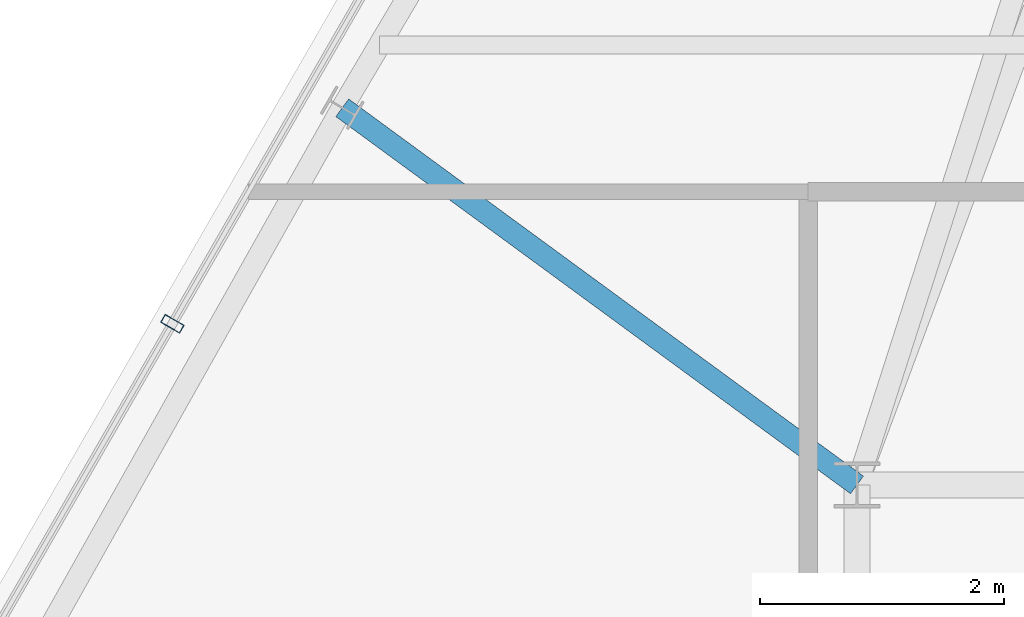
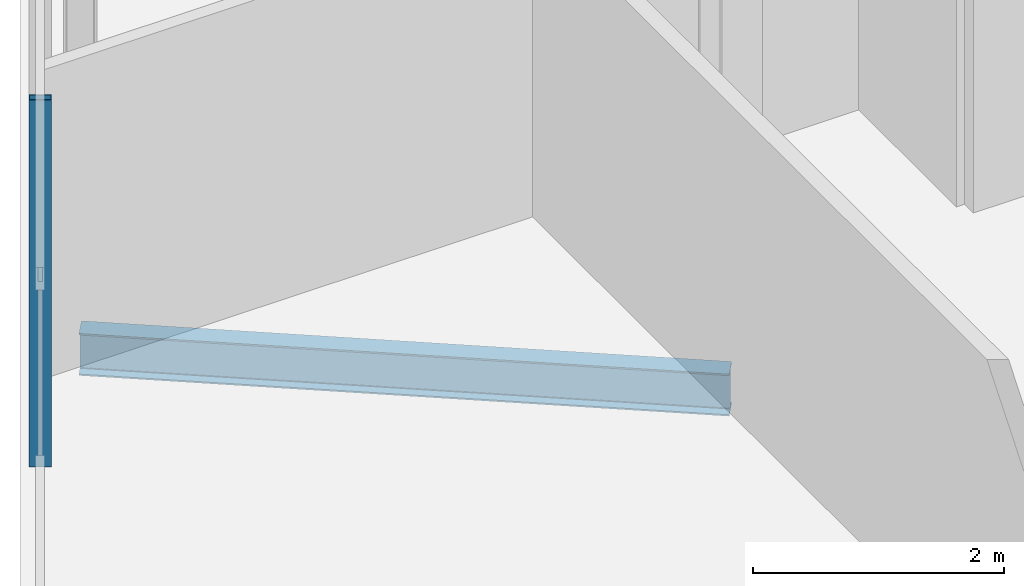
# One storey, part 11 of 32: 1 beam, 1 member, 1 element without a shape of its own.
"""IFC4 building model written with IfcOpenShell, lengths in metres."""

import ifcopenshell
import ifcopenshell.guid

model = None  # the IFC model being written
_history = None  # IfcOwnerHistory: only IFC2X3 demands one
_inside = {}  # id of a spatial element -> (the spatial element, [elements in it])
_under = {}  # id of a project, library or spatial element -> (it, [spatial elements below it])
_declared = {}  # id of a project -> (the project, [libraries it declares])
_typed = {}  # id of a type object -> (the type object, [elements of that type])
_made_of = {}  # id of a material, layer set ... -> (it, [elements and type objects made of it])


def new_model(schema):
    """Start an empty IFC model of exactly this schema.

    Asked for "IFC4X3", IfcOpenShell would pick the latest addendum, in which some entities
    have other attributes; the version numbers below select the first issue.
    IFC2X3 requires an IfcOwnerHistory on every rooted entity: one is made here for all.
    """
    global model, _history
    if schema == "IFC4X3":
        model = ifcopenshell.file(schema_version=(4, 3, 0, 0))
    else:
        model = ifcopenshell.file(schema=schema)
    _inside.clear()
    _under.clear()
    _declared.clear()
    _typed.clear()
    _made_of.clear()
    _history = None
    if model.schema == "IFC2X3":
        org = make("IfcOrganization", Name="unknown")
        user = make(
            "IfcPersonAndOrganization",
            ThePerson=make("IfcPerson", FamilyName="unknown"),
            TheOrganization=org,
        )
        app = make(
            "IfcApplication",
            ApplicationDeveloper=org,
            Version="unknown",
            ApplicationFullName="unknown",
            ApplicationIdentifier="unknown",
        )
        _history = make(
            "IfcOwnerHistory",
            OwningUser=user,
            OwningApplication=app,
            ChangeAction="ADDED",
            CreationDate=0,
        )
    return model


def make(cls, **values):
    """One entity of the class cls with the attributes given. An attribute that is None is left unset."""
    return model.create_entity(
        cls, **{name: value for name, value in values.items() if value is not None}
    )


def rooted(cls, **values):
    """An entity with a GlobalId (a new one), such as an element, a storey or a relation."""
    return make(cls, GlobalId=ifcopenshell.guid.new(), OwnerHistory=_history, **values)


def si_unit(unit_type, name, prefix=None):
    """IfcSIUnit, for example si_unit("LENGTHUNIT", "METRE", prefix="MILLI")."""
    return make("IfcSIUnit", UnitType=unit_type, Prefix=prefix, Name=name)


def assignment(units):
    """IfcUnitAssignment: the units of a project."""
    return None if units is None else make("IfcUnitAssignment", Units=units)


def point(xyz):
    """IfcCartesianPoint."""
    return None if xyz is None else make("IfcCartesianPoint", Coordinates=xyz)


def direction(xyz):
    """IfcDirection."""
    return None if xyz is None else make("IfcDirection", DirectionRatios=xyz)


def frame(location, z_axis=None, x_axis=None):
    """IfcAxis2Placement3D, a coordinate frame: its origin and axes. An axis left out is left unset."""
    return make(
        "IfcAxis2Placement3D",
        Location=point(location),
        Axis=direction(z_axis),
        RefDirection=direction(x_axis),
    )


def frame_2d(location, x_axis=None):
    """IfcAxis2Placement2D, a coordinate frame in the plane: its origin and x axis."""
    return make(
        "IfcAxis2Placement2D", Location=point(location), RefDirection=direction(x_axis)
    )


def origin():
    """The frame at (0, 0, 0) with its axes left unset."""
    return frame((0.0, 0.0, 0.0))


def origin_2d():
    """The frame at (0, 0) in the plane with its x axis left unset."""
    return frame_2d((0.0, 0.0))


def place(relative_to, where):
    """IfcLocalPlacement: puts the frame where relative to a parent placement (None: the world)."""
    return make(
        "IfcLocalPlacement", PlacementRelTo=relative_to, RelativePlacement=where
    )


def context(
    kind, dimensions, precision=None, world=None, true_north=None, identifier=None
):
    """IfcGeometricRepresentationContext, for example the 3D "Model" context."""
    return make(
        "IfcGeometricRepresentationContext",
        ContextIdentifier=identifier,
        ContextType=kind,
        CoordinateSpaceDimension=dimensions,
        Precision=precision,
        WorldCoordinateSystem=world,
        TrueNorth=true_north,
    )


def subcontext(parent, identifier, kind, view, scale=None):
    """IfcGeometricRepresentationSubContext, for example "Body" below "Model"."""
    return make(
        "IfcGeometricRepresentationSubContext",
        ContextIdentifier=identifier,
        ContextType=kind,
        ParentContext=parent,
        TargetScale=scale,
        TargetView=view,
    )


def project(units=None, contexts=None):
    """IfcProject with its units and contexts."""
    return rooted(
        "IfcProject",
        Name="project",
        RepresentationContexts=contexts,
        UnitsInContext=assignment(units),
    )


def spatial(cls, under=None, at=None, **own):
    """A site, building, storey or space (cls), placed at a placement, below another one or the project."""
    s = rooted(cls, ObjectPlacement=at, **own)
    if under is not None:
        _under.setdefault(under.id(), (under, []))[1].append(s)
    return s


def profile(cls, at=None, kind="AREA", **sizes):
    """A parametric profile (cls). Its sizes go by their IFC names, for example OverallWidth=200.0."""
    return make(cls, ProfileType=kind, Position=at, **sizes)


def hollow_rectangle(**sizes):
    """IfcRectangleHollowProfileDef."""
    return profile("IfcRectangleHollowProfileDef", **sizes)


def i_section(**sizes):
    """IfcIShapeProfileDef."""
    return profile("IfcIShapeProfileDef", **sizes)


def extrude(swept, where, along, depth):
    """IfcExtrudedAreaSolid: the profile swept, set in the frame where, extruded along a direction by depth."""
    return make(
        "IfcExtrudedAreaSolid",
        SweptArea=swept,
        Position=where,
        ExtrudedDirection=direction(along),
        Depth=depth,
    )


def shape(context_of_items, identifier, shape_type, items):
    """IfcShapeRepresentation: the items that make up one representation, for example the "Body"."""
    return make(
        "IfcShapeRepresentation",
        ContextOfItems=context_of_items,
        RepresentationIdentifier=identifier,
        RepresentationType=shape_type,
        Items=items,
    )


def material(Name=None, Category=None):
    """IfcMaterial."""
    return make("IfcMaterial", Name=Name, Category=Category)


def layer(
    of_material, thickness, ventilated=None, Name=None, Category=None, Priority=None
):
    """IfcMaterialLayer: one layer of a wall or slab, of a material (None: an air gap)."""
    return make(
        "IfcMaterialLayer",
        Material=of_material,
        LayerThickness=thickness,
        IsVentilated=ventilated,
        Name=Name,
        Category=Category,
        Priority=Priority,
    )


def layer_set(layers, Name=None):
    """IfcMaterialLayerSet."""
    return make("IfcMaterialLayerSet", MaterialLayers=layers, LayerSetName=Name)


def material_profile(
    of_material, cross_section, Name=None, Category=None, Priority=None
):
    """IfcMaterialProfile: a cross section and its material."""
    return make(
        "IfcMaterialProfile",
        Name=Name,
        Material=of_material,
        Profile=cross_section,
        Priority=Priority,
        Category=Category,
    )


def profile_set(profiles, Name=None, composite=None):
    """IfcMaterialProfileSet."""
    return make(
        "IfcMaterialProfileSet",
        Name=Name,
        MaterialProfiles=profiles,
        CompositeProfile=composite,
    )


def made_of(thing, what):
    """Note that an element or type object is made of a material, layer set ...; save() writes the relation."""
    if what is not None:
        _made_of.setdefault(what.id(), (what, []))[1].append(thing)
    return thing


def type_object(cls, material=None, **own):
    """A type object (cls), such as IfcWallType, which elements share."""
    return made_of(rooted(cls, **own), material)


def element(
    cls,
    number,
    at=None,
    inside=None,
    cuts=None,
    type_object=None,
    material=None,
    context=None,
    identifier="Body",
    shape_type=None,
    held_by="IfcProductDefinitionShape",
    body=None,
    shapes=None,
    **own,
):
    """One element of the class cls, such as IfcWall. Its Tag is "e" and its number.

    at: its placement. inside: the storey or other place that contains it. cuts: it is an
    opening in that element (IfcRelVoidsElement). A single representation is given by context,
    identifier, shape_type and body (its items); several are given by shapes. held_by: the class
    of the entity that holds the representations. save() writes the other relations.
    """
    e = rooted(cls, Tag="e%d" % number, ObjectPlacement=at, **own)
    if body is not None:
        shapes = [shape(context, identifier, shape_type, body)]
    if shapes is not None:
        e.Representation = make(held_by, Representations=shapes)
    if inside is not None:
        _inside.setdefault(inside.id(), (inside, []))[1].append(e)
    if cuts is not None:
        rooted(
            "IfcRelVoidsElement", RelatingBuildingElement=cuts, RelatedOpeningElement=e
        )
    if type_object is not None:
        _typed.setdefault(type_object.id(), (type_object, []))[1].append(e)
    return made_of(e, material)


def aggregate(whole, parts):
    """IfcRelAggregates: a whole, such as a stair, and the parts it consists of."""
    return rooted("IfcRelAggregates", RelatingObject=whole, RelatedObjects=parts)


def save(model, path):
    """Write the relations noted so far, then the file.

    IfcRelAggregates (storeys below a building ...), IfcRelContainedInSpatialStructure (elements
    in a storey), IfcRelDefinesByType, IfcRelAssociatesMaterial and IfcRelDeclares: one each for
    every whole, place, type object, material and project.
    """
    for whole, parts in _under.values():
        aggregate(whole, parts)
    for where, things in _inside.values():
        rooted(
            "IfcRelContainedInSpatialStructure",
            RelatedElements=things,
            RelatingStructure=where,
        )
    for kind, things in _typed.values():
        rooted("IfcRelDefinesByType", RelatedObjects=things, RelatingType=kind)
    for what, things in _made_of.values():
        rooted("IfcRelAssociatesMaterial", RelatedObjects=things, RelatingMaterial=what)
    for by, libraries in _declared.values():
        rooted("IfcRelDeclares", RelatingContext=by, RelatedDefinitions=libraries)
    model.write(path)


model = new_model("IFC4")

# Units and contexts
model_context = context("Model", 3, precision=1e-05, world=origin(), true_north=direction((0.0, 1.0)))
body_context = subcontext(model_context, "Body", "Model", "MODEL_VIEW")
ifc_project = project(units=[si_unit("LENGTHUNIT", "METRE"), si_unit("AREAUNIT", "SQUARE_METRE"), si_unit("VOLUMEUNIT", "CUBIC_METRE"), si_unit("PLANEANGLEUNIT", "RADIAN"), si_unit("MASSUNIT", "GRAM", prefix="KILO")], contexts=[model_context])

# Site, building, storey
site_placement = place(None, origin())
site = spatial("IfcSite", under=ifc_project, at=site_placement, CompositionType="ELEMENT")
building_placement = place(site_placement, origin())
building = spatial("IfcBuilding", under=site, at=building_placement, Name="Ndaravel Arena Tower", CompositionType="ELEMENT")
storey_placement = place(building_placement, frame((0.0, 0.0, 287.10009765625)))
storey = spatial("IfcBuildingStorey", under=building, at=storey_placement, Name="L70", CompositionType="ELEMENT", Elevation=287.10009765625)

# Beam
ifc_material_1 = material(Name="Steel S355", Category="steel")
ifc_material_profile_1 = material_profile(ifc_material_1, i_section(OverallWidth=0.1787109375, OverallDepth=0.409423828125, WebThickness=0.0087890625, FlangeThickness=0.014404296875, FilletRadius=0.01025390625, at=origin_2d()), Name="UB 406x178x67")
ifc_profile_set_1 = profile_set([ifc_material_profile_1], Name="Steel S355")
beam_type = type_object("IfcBeamType", Name="BM-GIRD-UB406", PredefinedType="BEAM", material=ifc_profile_set_1)
beam_placement = place(storey_placement, frame((29.9873046875, 26.286865234375, -0.4248046875), z_axis=(0.806620438132, -0.59106976643, 0.0), x_axis=(0.59106976643, 0.806620438132, 0.0)))
element("IfcBeam", 1, at=beam_placement, inside=storey, type_object=beam_type, Name="L70 Radial Floor Girder FG-19", PredefinedType="BEAM", context=body_context, shape_type="SweptSolid", body=[
    extrude(i_section(OverallWidth=0.1787109375, OverallDepth=0.409423828125, WebThickness=0.0087890625, FlangeThickness=0.014404296875, FilletRadius=0.01025390625, at=origin_2d()), origin(), (0.0, 0.0, 1.0), 5.22265625),
])

# Curtain wall, member
ifc_material_2 = material(Name="Aluminium", Category="aluminium")
ifc_layer = layer(ifc_material_2, 0.179931640625)
ifc_layer_set = layer_set([ifc_layer], Name="Aluminium")
curtain_wall_type = type_object("IfcCurtainWallType", Name="CW-SYS-03", PredefinedType="NOTDEFINED", material=ifc_layer_set)
curtain_wall_placement = place(storey_placement, origin())
curtain_wall = element("IfcCurtainWall", 2, at=curtain_wall_placement, inside=storey, type_object=curtain_wall_type, Name="L70 Faceted Crystal Curtain Wall CW-L70-E05", PredefinedType="NOTDEFINED")
ifc_material_3 = material(Name="Aluminium", Category="aluminium")
ifc_material_profile_2 = material_profile(ifc_material_3, hollow_rectangle(XDim=0.074951171875, YDim=0.179931640625, WallThickness=0.00390625, at=origin_2d()), Name="CW MULLION 75x180x4")
ifc_profile_set_2 = profile_set([ifc_material_profile_2], Name="Aluminium")
member_type = type_object("IfcMemberType", Name="MEM-CW-MUL180", PredefinedType="MULLION", material=ifc_profile_set_2)
member_placement = place(storey_placement, frame((28.596923828125, 24.518798828125, 0.0), z_axis=(0.0, 0.0, 1.0), x_axis=(-0.5, -0.866025403784, 0.0)))
member = element("IfcMember", 3, at=member_placement, type_object=member_type, Name="CW-L70-E05 Mullion 05", PredefinedType="MULLION", context=body_context, shape_type="SweptSolid", body=[
    extrude(hollow_rectangle(XDim=0.074951171875, YDim=0.179931640625, WallThickness=0.00390625, at=origin_2d()), origin(), (0.0, 0.0, 1.0), 3.579833984375),
])
aggregate(curtain_wall, [member])

save(model, "model.ifc")
